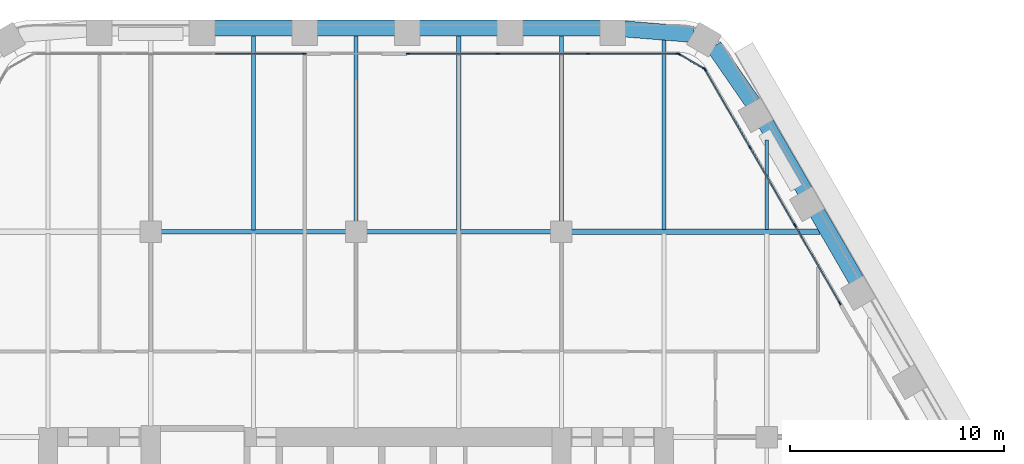
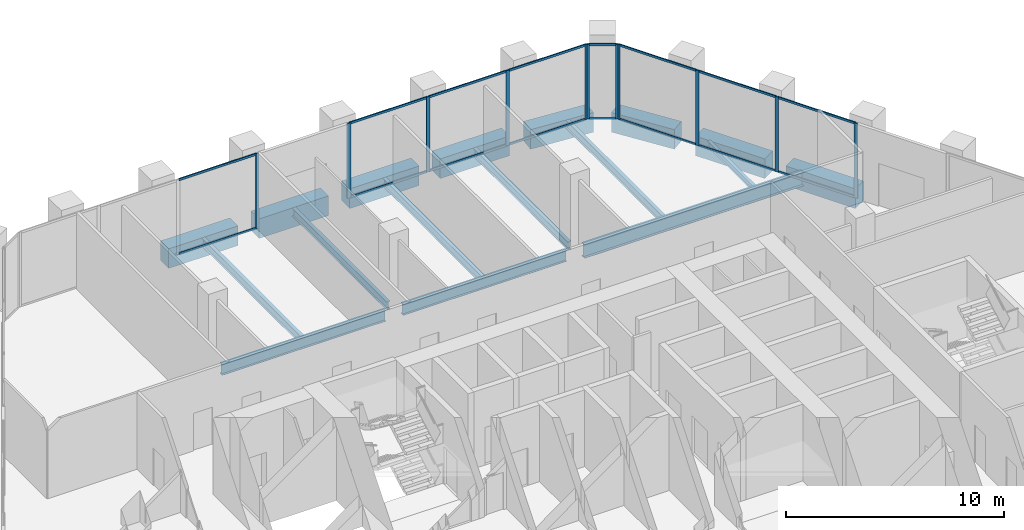
# One storey, part 10 of 26: 27 members, 17 beams, 4 elements without a shape of their own.
"""IFC4 building model written with IfcOpenShell, lengths in metres."""

from ifc_helpers import new_model, si_unit, direction, frame, origin, origin_2d, place, context, subcontext, project, spatial, rectangle, i_section, extrude, material, material_profile, profile_set, type_object, element, aggregate, save


model = new_model("IFC4")

# Units and contexts
model_context = context("Model", 3, precision=1e-05, world=origin(), true_north=direction((0.0, 1.0)))
body_context = subcontext(model_context, "Body", "Model", "MODEL_VIEW")
ifc_project = project(units=[si_unit("LENGTHUNIT", "METRE"), si_unit("AREAUNIT", "SQUARE_METRE"), si_unit("VOLUMEUNIT", "CUBIC_METRE"), si_unit("PLANEANGLEUNIT", "RADIAN"), si_unit("MASSUNIT", "GRAM", prefix="KILO")], contexts=[model_context])

# Site, building, storey
site_placement = place(None, origin())
site = spatial("IfcSite", under=ifc_project, at=site_placement, CompositionType="ELEMENT")
building_placement = place(site_placement, origin())
building = spatial("IfcBuilding", under=site, at=building_placement, Name="Kolab Exchange Tower", CompositionType="ELEMENT")
storey_placement = place(building_placement, frame((0.0, 0.0, 104.89990234375)))
storey = spatial("IfcBuildingStorey", under=building, at=storey_placement, Name="L20", CompositionType="ELEMENT", Elevation=104.89990234375)

# Beams
ifc_material_1 = material(Name="Steel S355", Category="steel")
ifc_material_profile_1 = material_profile(ifc_material_1, i_section(OverallWidth=0.1650390625, OverallDepth=0.31005859375, WebThickness=0.005859375, FlangeThickness=0.009765625, at=origin_2d()), Name="W310X39")
ifc_profile_set_1 = profile_set([ifc_material_profile_1], Name="Steel S355")
beam_type_1 = type_object("IfcBeamType", Name="FLOOR BEAM W310X39", PredefinedType="BEAM", material=ifc_profile_set_1)
beam_1_placement = place(storey_placement, frame((19.199951171875, 19.29345703125, -0.35498046875), z_axis=(0.0, 1.0, 0.0), x_axis=(-1.0, 0.0, 0.0)))
element("IfcBeam", 1, at=beam_1_placement, inside=storey, type_object=beam_type_1, Name="beam/L20/fr/045", PredefinedType="BEAM", context=body_context, shape_type="SweptSolid", body=[
    extrude(i_section(OverallWidth=0.1650390625, OverallDepth=0.31005859375, WebThickness=0.005859375, FlangeThickness=0.009765625, at=origin_2d()), origin(), (0.0, 0.0, 1.0), 4.18798828125),
])
ifc_material_profile_2 = material_profile(ifc_material_1, i_section(OverallWidth=0.18994140625, OverallDepth=0.45703125, WebThickness=0.009033203125, FlangeThickness=0.014404296875, at=origin_2d()), Name="W460X74")
ifc_profile_set_2 = profile_set([ifc_material_profile_2], Name="Steel S355")
beam_type_2 = type_object("IfcBeamType", Name="FLOOR BEAM W460X74", PredefinedType="BEAM", material=ifc_profile_set_2)
beam_2_placement = place(storey_placement, frame((-4.800048828125, 19.27392578125, -0.428466796875), z_axis=(0.0, 1.0, 0.0), x_axis=(-1.0, 0.0, 0.0)))
element("IfcBeam", 2, at=beam_2_placement, inside=storey, type_object=beam_type_2, Name="beam/L20/fr/023", PredefinedType="BEAM", context=body_context, shape_type="SweptSolid", body=[
    extrude(i_section(OverallWidth=0.18994140625, OverallDepth=0.45703125, WebThickness=0.009033203125, FlangeThickness=0.014404296875, at=origin_2d()), origin(), (0.0, 0.0, 1.0), 9.114501953125),
])
beam_3_placement = place(storey_placement, frame((0.0, 19.659912109375, -0.428466796875), z_axis=(0.0, 1.0, 0.0), x_axis=(-1.0, 0.0, 0.0)))
element("IfcBeam", 3, at=beam_3_placement, inside=storey, type_object=beam_type_2, Name="beam/L20/fr/027", PredefinedType="BEAM", context=body_context, shape_type="SweptSolid", body=[
    extrude(i_section(OverallWidth=0.18994140625, OverallDepth=0.45703125, WebThickness=0.009033203125, FlangeThickness=0.014404296875, at=origin_2d()), origin(), (0.0, 0.0, 1.0), 8.728515625),
])
beam_4_placement = place(storey_placement, frame((4.800048828125, 19.27392578125, -0.428466796875), z_axis=(0.0, 1.0, 0.0), x_axis=(-1.0, 0.0, 0.0)))
element("IfcBeam", 4, at=beam_4_placement, inside=storey, type_object=beam_type_2, Name="beam/L20/fr/031", PredefinedType="BEAM", context=body_context, shape_type="SweptSolid", body=[
    extrude(i_section(OverallWidth=0.18994140625, OverallDepth=0.45703125, WebThickness=0.009033203125, FlangeThickness=0.014404296875, at=origin_2d()), origin(), (0.0, 0.0, 1.0), 9.114501953125),
])
beam_5_placement = place(storey_placement, frame((9.60009765625, 19.659912109375, -0.428466796875), z_axis=(0.0, 1.0, 0.0), x_axis=(-1.0, 0.0, 0.0)))
element("IfcBeam", 5, at=beam_5_placement, inside=storey, type_object=beam_type_2, Name="beam/L20/fr/035", PredefinedType="BEAM", context=body_context, shape_type="SweptSolid", body=[
    extrude(i_section(OverallWidth=0.18994140625, OverallDepth=0.45703125, WebThickness=0.009033203125, FlangeThickness=0.014404296875, at=origin_2d()), origin(), (0.0, 0.0, 1.0), 8.728515625),
])
beam_6_placement = place(storey_placement, frame((14.39990234375, 19.29345703125, -0.428466796875), z_axis=(0.0, 1.0, 0.0), x_axis=(-1.0, 0.0, 0.0)))
element("IfcBeam", 6, at=beam_6_placement, inside=storey, type_object=beam_type_2, Name="beam/L20/fr/039", PredefinedType="BEAM", context=body_context, shape_type="SweptSolid", body=[
    extrude(i_section(OverallWidth=0.18994140625, OverallDepth=0.45703125, WebThickness=0.009033203125, FlangeThickness=0.014404296875, at=origin_2d()), origin(), (0.0, 0.0, 1.0), 8.901123046875),
])
ifc_material_profile_3 = material_profile(ifc_material_1, i_section(OverallWidth=0.22802734375, OverallDepth=0.60791015625, WebThickness=0.01123046875, FlangeThickness=0.017333984375, at=origin_2d()), Name="W610X113")
ifc_profile_set_3 = profile_set([ifc_material_profile_3], Name="Steel S355")
beam_type_3 = type_object("IfcBeamType", Name="FLOOR GIRDER W610X113", PredefinedType="BEAM", material=ifc_profile_set_3)
for number, where, z_axis, x_axis, name in (
    (7, (-9.139892578125, 19.199951171875, -0.50390625), (1.0, 0.0, 0.0), (0.0, 1.0, 0.0), "beam/L20/gd/009"),
    (8, (0.4599609375, 19.199951171875, -0.50390625), (1.0, 0.0, 0.0), (0.0, 1.0, 0.0), "beam/L20/gd/011"),
):
    element("IfcBeam", number, at=place(storey_placement, frame(where, z_axis=z_axis, x_axis=x_axis)), inside=storey, type_object=beam_type_3, Name=name, PredefinedType="BEAM", context=body_context, shape_type="SweptSolid", body=[
        extrude(i_section(OverallWidth=0.22802734375, OverallDepth=0.60791015625, WebThickness=0.01123046875, FlangeThickness=0.017333984375, at=origin_2d()), origin(), (0.0, 0.0, 1.0), 8.679931640625),
    ])
ifc_material_profile_4 = material_profile(ifc_material_1, i_section(OverallWidth=0.26708984375, OverallDepth=0.761962890625, WebThickness=0.014404296875, FlangeThickness=0.021484375, at=origin_2d()), Name="W760X173")
ifc_profile_set_4 = profile_set([ifc_material_profile_4], Name="Steel S355")
beam_type_4 = type_object("IfcBeamType", Name="FLOOR GIRDER W760X173", PredefinedType="BEAM", material=ifc_profile_set_4)
beam_7_placement = place(storey_placement, frame((10.06005859375, 19.199951171875, -0.580810546875), z_axis=(1.0, 0.0, 0.0), x_axis=(0.0, 1.0, 0.0)))
element("IfcBeam", 9, at=beam_7_placement, inside=storey, type_object=beam_type_4, Name="beam/L20/gd/013", PredefinedType="BEAM", context=body_context, shape_type="SweptSolid", body=[
    extrude(i_section(OverallWidth=0.26708984375, OverallDepth=0.761962890625, WebThickness=0.014404296875, FlangeThickness=0.021484375, at=origin_2d()), origin(), (0.0, 0.0, 1.0), 11.628662109375),
])
ifc_material_2 = material(Name="Concrete C70/85", Category="concrete")
ifc_material_profile_5 = material_profile(ifc_material_2, rectangle(XDim=0.75, YDim=1.10009765625, at=origin_2d()), Name="RC750X1100")
ifc_profile_set_5 = profile_set([ifc_material_profile_5], Name="Concrete C70/85")
beam_type_5 = type_object("IfcBeamType", Name="SPANDREL BEAM 750X1100 C70/85", PredefinedType="BEAM", material=ifc_profile_set_5)
beam_8_placement = place(storey_placement, frame((-6.639892578125, 28.723388671875, -0.75), z_axis=(1.0, 0.0, 0.0), x_axis=(0.0, 1.0, 0.0)))
element("IfcBeam", 10, at=beam_8_placement, inside=storey, type_object=beam_type_5, Name="beam/L20/sp/F1-03", PredefinedType="BEAM", context=body_context, shape_type="SweptSolid", body=[
    extrude(rectangle(XDim=0.75, YDim=1.10009765625, at=origin_2d()), origin(), (0.0, 0.0, 1.0), 3.679931640625),
])
beam_9_placement = place(storey_placement, frame((-1.840087890625, 28.723388671875, -0.75), z_axis=(1.0, 0.0, 0.0), x_axis=(0.0, 1.0, 0.0)))
element("IfcBeam", 11, at=beam_9_placement, inside=storey, type_object=beam_type_5, Name="beam/L20/sp/F1-04", PredefinedType="BEAM", context=body_context, shape_type="SweptSolid", body=[
    extrude(rectangle(XDim=0.75, YDim=1.10009765625, at=origin_2d()), origin(), (0.0, 0.0, 1.0), 3.68017578125),
])
for number, where, z_axis, x_axis, name in (
    (12, (2.9599609375, 28.723388671875, -0.75), (1.0, 0.0, 0.0), (0.0, 1.0, 0.0), "beam/L20/sp/F1-05"),
    (13, (7.760009765625, 28.723388671875, -0.75), (1.0, 0.0, 0.0), (0.0, 1.0, 0.0), "beam/L20/sp/F1-06"),
):
    element("IfcBeam", number, at=place(storey_placement, frame(where, z_axis=z_axis, x_axis=x_axis)), inside=storey, type_object=beam_type_5, Name=name, PredefinedType="BEAM", context=body_context, shape_type="SweptSolid", body=[
        extrude(rectangle(XDim=0.75, YDim=1.10009765625, at=origin_2d()), origin(), (0.0, 0.0, 1.0), 3.679931640625),
    ])
for number, where, z_axis, x_axis, name in (
    (14, (12.56005859375, 28.678466796875, -0.75), (0.996791038408, -0.080047646748, 0.0), (0.080047646748, 0.996791038408, 0.0), "beam/L20/sp/F1-07"),
    (15, (16.73486328125, 27.85791015625, -0.75), (0.567661826262, -0.823261836237, 0.0), (0.823261836237, 0.567661826262, 0.0), "beam/L20/sp/F2-01"),
):
    element("IfcBeam", number, at=place(storey_placement, frame(where, z_axis=z_axis, x_axis=x_axis)), inside=storey, type_object=beam_type_5, Name=name, PredefinedType="BEAM", context=body_context, shape_type="SweptSolid", body=[
        extrude(rectangle(XDim=0.75, YDim=1.10009765625, at=origin_2d()), origin(), (0.0, 0.0, 1.0), 3.20849609375),
    ])
for number, where, z_axis, x_axis, name in (
    (16, (19.1552734375, 24.26904296875, -0.75), (0.500013413428, -0.866017659399, 0.0), (0.866017659399, 0.500013413428, 0.0), "beam/L20/sp/F2-02"),
    (17, (21.55517578125, 20.112060546875, -0.75), (0.500013413428, -0.866017659399, 0.0), (0.866017659399, 0.500013413428, 0.0), "beam/L20/sp/F2-03"),
):
    element("IfcBeam", number, at=place(storey_placement, frame(where, z_axis=z_axis, x_axis=x_axis)), inside=storey, type_object=beam_type_5, Name=name, PredefinedType="BEAM", context=body_context, shape_type="SweptSolid", body=[
        extrude(rectangle(XDim=0.75, YDim=1.10009765625, at=origin_2d()), origin(), (0.0, 0.0, 1.0), 3.68017578125),
    ])

# Curtain wall, member
ifc_material_3 = material(Name="Aluminium EN AW-6063 T6", Category="aluminium")
curtain_wall_type = type_object("IfcCurtainWallType", Name="UNITISED LOWER MID ZONE CURTAIN WALL", PredefinedType="NOTDEFINED", material=ifc_material_3)
curtain_wall_1_placement = place(storey_placement, origin())
curtain_wall_1 = element("IfcCurtainWall", 18, at=curtain_wall_1_placement, inside=storey, type_object=curtain_wall_type, Name="cw/L20/F1-1", PredefinedType="NOTDEFINED")
ifc_material_profile_6 = material_profile(ifc_material_3, rectangle(XDim=0.06005859375, YDim=0.179931640625, at=origin_2d()), Name="RECT 60X180")
ifc_profile_set_6 = profile_set([ifc_material_profile_6], Name="Aluminium EN AW-6063 T6")
member_type_1 = type_object("IfcMemberType", Name="UNITISED LOWER MID ZONE MULLION 60 X 180", PredefinedType="MULLION", material=ifc_profile_set_6)
member_1_placement = place(storey_placement, frame((-2.429931640625, 27.5185546875, 0.0), z_axis=(0.0, 0.0, 1.0), x_axis=(0.0, 1.0, 0.0)))
member_1 = element("IfcMember", 19, at=member_1_placement, type_object=member_type_1, Name="CW2 mullion 4", PredefinedType="MULLION", context=body_context, shape_type="SweptSolid", body=[
    extrude(rectangle(XDim=0.06005859375, YDim=0.179931640625, at=origin_2d()), origin(), (0.0, 0.0, 1.0), 4.2001953125),
])

# Curtain wall, members
curtain_wall_2_placement = place(storey_placement, origin())
curtain_wall_2 = element("IfcCurtainWall", 20, at=curtain_wall_2_placement, inside=storey, type_object=curtain_wall_type, Name="cw/L20/F1-2", PredefinedType="NOTDEFINED")
member_2_placement = place(storey_placement, frame((2.429931640625, 27.5185546875, 0.0), z_axis=(0.0, 0.0, 1.0), x_axis=(0.0, 1.0, 0.0)))
member_2 = element("IfcMember", 21, at=member_2_placement, type_object=member_type_1, Name="CW2 mullion 1", PredefinedType="MULLION", context=body_context, shape_type="SweptSolid", body=[
    extrude(rectangle(XDim=0.06005859375, YDim=0.179931640625, at=origin_2d()), origin(), (0.0, 0.0, 1.0), 4.2001953125),
])
member_3_placement = place(storey_placement, frame((6.62255859375, 27.5185546875, 0.0), z_axis=(0.0, 0.0, 1.0), x_axis=(0.0, 1.0, 0.0)))
member_3 = element("IfcMember", 22, at=member_3_placement, type_object=member_type_1, Name="CW2 mullion 2", PredefinedType="MULLION", context=body_context, shape_type="SweptSolid", body=[
    extrude(rectangle(XDim=0.06005859375, YDim=0.179931640625, at=origin_2d()), origin(), (0.0, 0.0, 1.0), 4.2001953125),
])
member_4_placement = place(storey_placement, frame((10.84521484375, 27.5185546875, 0.0), z_axis=(0.0, 0.0, 1.0), x_axis=(0.0, 1.0, 0.0)))
member_4 = element("IfcMember", 23, at=member_4_placement, type_object=member_type_1, Name="CW2 mullion 3", PredefinedType="MULLION", context=body_context, shape_type="SweptSolid", body=[
    extrude(rectangle(XDim=0.06005859375, YDim=0.179931640625, at=origin_2d()), origin(), (0.0, 0.0, 1.0), 4.2001953125),
])
member_5_placement = place(storey_placement, frame((15.037841796875, 27.5185546875, 0.0), z_axis=(0.0, 0.0, 1.0), x_axis=(0.0, 1.0, 0.0)))
member_5 = element("IfcMember", 24, at=member_5_placement, type_object=member_type_1, Name="CW2 mullion 4", PredefinedType="MULLION", context=body_context, shape_type="SweptSolid", body=[
    extrude(rectangle(XDim=0.06005859375, YDim=0.179931640625, at=origin_2d()), origin(), (0.0, 0.0, 1.0), 4.2001953125),
])

curtain_wall_3_placement = place(storey_placement, origin())
curtain_wall_3 = element("IfcCurtainWall", 25, at=curtain_wall_3_placement, inside=storey, type_object=curtain_wall_type, Name="cw/L20/F2-1", PredefinedType="NOTDEFINED")
member_6_placement = place(storey_placement, frame((16.312744140625, 26.782470703125, 0.0), z_axis=(0.0, 0.0, 1.0), x_axis=(0.866025393644, 0.500000017564, 0.0)))
member_6 = element("IfcMember", 26, at=member_6_placement, type_object=member_type_1, Name="CW2 mullion 1", PredefinedType="MULLION", context=body_context, shape_type="SweptSolid", body=[
    extrude(rectangle(XDim=0.06005859375, YDim=0.179931640625, at=origin_2d()), origin(), (0.0, 0.0, 1.0), 4.2001953125),
])
member_7_placement = place(storey_placement, frame((18.408935546875, 23.151611328125, 0.0), z_axis=(0.0, 0.0, 1.0), x_axis=(0.866025393644, 0.500000017564, 0.0)))
member_7 = element("IfcMember", 27, at=member_7_placement, type_object=member_type_1, Name="CW2 mullion 2", PredefinedType="MULLION", context=body_context, shape_type="SweptSolid", body=[
    extrude(rectangle(XDim=0.06005859375, YDim=0.179931640625, at=origin_2d()), origin(), (0.0, 0.0, 1.0), 4.2001953125),
])
member_8_placement = place(storey_placement, frame((20.520263671875, 19.49462890625, 0.0), z_axis=(0.0, 0.0, 1.0), x_axis=(0.866025393644, 0.500000017564, 0.0)))
member_8 = element("IfcMember", 28, at=member_8_placement, type_object=member_type_1, Name="CW2 mullion 3", PredefinedType="MULLION", context=body_context, shape_type="SweptSolid", body=[
    extrude(rectangle(XDim=0.06005859375, YDim=0.179931640625, at=origin_2d()), origin(), (0.0, 0.0, 1.0), 4.2001953125),
])
member_9_placement = place(storey_placement, frame((22.61669921875, 15.86376953125, 0.0), z_axis=(0.0, 0.0, 1.0), x_axis=(0.866025393644, 0.500000017564, 0.0)))
member_9 = element("IfcMember", 29, at=member_9_placement, type_object=member_type_1, Name="CW2 mullion 4", PredefinedType="MULLION", context=body_context, shape_type="SweptSolid", body=[
    extrude(rectangle(XDim=0.06005859375, YDim=0.179931640625, at=origin_2d()), origin(), (0.0, 0.0, 1.0), 4.2001953125),
])

curtain_wall_4_placement = place(storey_placement, origin())
curtain_wall_4 = element("IfcCurtainWall", 30, at=curtain_wall_4_placement, inside=storey, type_object=curtain_wall_type, Name="cw/L20/F1F2-corner", PredefinedType="NOTDEFINED")
member_10_placement = place(storey_placement, frame((15.093994140625, 27.50341796875, 0.0), z_axis=(0.0, 0.0, 1.0), x_axis=(0.50000002237, 0.866025390869, 0.0)))
member_10 = element("IfcMember", 31, at=member_10_placement, type_object=member_type_1, Name="CW2 mullion 1", PredefinedType="MULLION", context=body_context, shape_type="SweptSolid", body=[
    extrude(rectangle(XDim=0.06005859375, YDim=0.179931640625, at=origin_2d()), origin(), (0.0, 0.0, 1.0), 4.2001953125),
])
member_11_placement = place(storey_placement, frame((16.271728515625, 26.823486328125, 0.0), z_axis=(0.0, 0.0, 1.0), x_axis=(0.50000002237, 0.866025390869, 0.0)))
member_11 = element("IfcMember", 32, at=member_11_placement, type_object=member_type_1, Name="CW2 mullion 2", PredefinedType="MULLION", context=body_context, shape_type="SweptSolid", body=[
    extrude(rectangle(XDim=0.06005859375, YDim=0.179931640625, at=origin_2d()), origin(), (0.0, 0.0, 1.0), 4.2001953125),
])

# Member
ifc_material_profile_7 = material_profile(ifc_material_3, rectangle(XDim=0.06005859375, YDim=0.1201171875, at=origin_2d()), Name="RECT 60X120")
ifc_profile_set_7 = profile_set([ifc_material_profile_7], Name="Aluminium EN AW-6063 T6")
member_type_2 = type_object("IfcMemberType", Name="UNITISED LOWER MID ZONE TRANSOM 60 X 120", PredefinedType="USERDEFINED", material=ifc_profile_set_7)
member_12_placement = place(storey_placement, frame((-6.592529296875, 27.5185546875, 0.030029296875), z_axis=(1.0, 0.0, 0.0), x_axis=(0.0, 1.0, 0.0)))
member_12 = element("IfcMember", 33, at=member_12_placement, type_object=member_type_2, Name="CW2 transom 3.1", ObjectType="TRANSOM", PredefinedType="USERDEFINED", context=body_context, shape_type="SweptSolid", body=[
    extrude(rectangle(XDim=0.06005859375, YDim=0.1201171875, at=origin_2d()), origin(), (0.0, 0.0, 1.0), 4.132568359375),
])

member_13_placement = place(storey_placement, frame((-6.592529296875, 27.5185546875, 4.170166015625), z_axis=(1.0, 0.0, 0.0), x_axis=(0.0, 1.0, 0.0)))
member_13 = element("IfcMember", 34, at=member_13_placement, type_object=member_type_2, Name="CW2 transom 3.2", ObjectType="TRANSOM", PredefinedType="USERDEFINED", context=body_context, shape_type="SweptSolid", body=[
    extrude(rectangle(XDim=0.06005859375, YDim=0.1201171875, at=origin_2d()), origin(), (0.0, 0.0, 1.0), 4.132568359375),
])

aggregate(curtain_wall_1, [member_1, member_12, member_13])

member_14_placement = place(storey_placement, frame((2.4599609375, 27.5185546875, 0.030029296875), z_axis=(1.0, 0.0, 0.0), x_axis=(0.0, 1.0, 0.0)))
member_14 = element("IfcMember", 35, at=member_14_placement, type_object=member_type_2, Name="CW2 transom 1.1", ObjectType="TRANSOM", PredefinedType="USERDEFINED", context=body_context, shape_type="SweptSolid", body=[
    extrude(rectangle(XDim=0.06005859375, YDim=0.1201171875, at=origin_2d()), origin(), (0.0, 0.0, 1.0), 4.132568359375),
])

member_15_placement = place(storey_placement, frame((2.4599609375, 27.5185546875, 4.170166015625), z_axis=(1.0, 0.0, 0.0), x_axis=(0.0, 1.0, 0.0)))
member_15 = element("IfcMember", 36, at=member_15_placement, type_object=member_type_2, Name="CW2 transom 1.2", ObjectType="TRANSOM", PredefinedType="USERDEFINED", context=body_context, shape_type="SweptSolid", body=[
    extrude(rectangle(XDim=0.06005859375, YDim=0.1201171875, at=origin_2d()), origin(), (0.0, 0.0, 1.0), 4.132568359375),
])

member_16_placement = place(storey_placement, frame((6.652587890625, 27.5185546875, 0.030029296875), z_axis=(1.0, 0.0, 0.0), x_axis=(0.0, 1.0, 0.0)))
member_16 = element("IfcMember", 37, at=member_16_placement, type_object=member_type_2, Name="CW2 transom 2.1", ObjectType="TRANSOM", PredefinedType="USERDEFINED", context=body_context, shape_type="SweptSolid", body=[
    extrude(rectangle(XDim=0.06005859375, YDim=0.1201171875, at=origin_2d()), origin(), (0.0, 0.0, 1.0), 4.16259765625),
])

member_17_placement = place(storey_placement, frame((6.652587890625, 27.5185546875, 4.170166015625), z_axis=(1.0, 0.0, 0.0), x_axis=(0.0, 1.0, 0.0)))
member_17 = element("IfcMember", 38, at=member_17_placement, type_object=member_type_2, Name="CW2 transom 2.2", ObjectType="TRANSOM", PredefinedType="USERDEFINED", context=body_context, shape_type="SweptSolid", body=[
    extrude(rectangle(XDim=0.06005859375, YDim=0.1201171875, at=origin_2d()), origin(), (0.0, 0.0, 1.0), 4.16259765625),
])

member_18_placement = place(storey_placement, frame((10.875244140625, 27.5185546875, 0.030029296875), z_axis=(1.0, 0.0, 0.0), x_axis=(0.0, 1.0, 0.0)))
member_18 = element("IfcMember", 39, at=member_18_placement, type_object=member_type_2, Name="CW2 transom 3.1", ObjectType="TRANSOM", PredefinedType="USERDEFINED", context=body_context, shape_type="SweptSolid", body=[
    extrude(rectangle(XDim=0.06005859375, YDim=0.1201171875, at=origin_2d()), origin(), (0.0, 0.0, 1.0), 4.1328125),
])

member_19_placement = place(storey_placement, frame((10.875244140625, 27.5185546875, 4.170166015625), z_axis=(1.0, 0.0, 0.0), x_axis=(0.0, 1.0, 0.0)))
member_19 = element("IfcMember", 40, at=member_19_placement, type_object=member_type_2, Name="CW2 transom 3.2", ObjectType="TRANSOM", PredefinedType="USERDEFINED", context=body_context, shape_type="SweptSolid", body=[
    extrude(rectangle(XDim=0.06005859375, YDim=0.1201171875, at=origin_2d()), origin(), (0.0, 0.0, 1.0), 4.1328125),
])

aggregate(curtain_wall_2, [member_2, member_3, member_4, member_5, member_14, member_15, member_16, member_17, member_18, member_19])

member_20_placement = place(storey_placement, frame((16.32763671875, 26.756591796875, 0.030029296875), z_axis=(0.500001996123, -0.866024251319, 0.0), x_axis=(0.866024251319, 0.500001996123, 0.0)))
member_20 = element("IfcMember", 41, at=member_20_placement, type_object=member_type_2, Name="CW2 transom 1.1", ObjectType="TRANSOM", PredefinedType="USERDEFINED", context=body_context, shape_type="SweptSolid", body=[
    extrude(rectangle(XDim=0.06005859375, YDim=0.1201171875, at=origin_2d()), origin(), (0.0, 0.0, 1.0), 4.1328125),
])

member_21_placement = place(storey_placement, frame((16.32763671875, 26.756591796875, 4.170166015625), z_axis=(0.500001996123, -0.866024251319, 0.0), x_axis=(0.866024251319, 0.500001996123, 0.0)))
member_21 = element("IfcMember", 42, at=member_21_placement, type_object=member_type_2, Name="CW2 transom 1.2", ObjectType="TRANSOM", PredefinedType="USERDEFINED", context=body_context, shape_type="SweptSolid", body=[
    extrude(rectangle(XDim=0.06005859375, YDim=0.1201171875, at=origin_2d()), origin(), (0.0, 0.0, 1.0), 4.1328125),
])

member_22_placement = place(storey_placement, frame((18.424072265625, 23.12548828125, 0.030029296875), z_axis=(0.49999322259, -0.866029316688, 0.0), x_axis=(0.866029316688, 0.49999322259, 0.0)))
member_22 = element("IfcMember", 43, at=member_22_placement, type_object=member_type_2, Name="CW2 transom 2.1", ObjectType="TRANSOM", PredefinedType="USERDEFINED", context=body_context, shape_type="SweptSolid", body=[
    extrude(rectangle(XDim=0.06005859375, YDim=0.1201171875, at=origin_2d()), origin(), (0.0, 0.0, 1.0), 4.16259765625),
])

member_23_placement = place(storey_placement, frame((18.424072265625, 23.12548828125, 4.170166015625), z_axis=(0.49999322259, -0.866029316688, 0.0), x_axis=(0.866029316688, 0.49999322259, 0.0)))
member_23 = element("IfcMember", 44, at=member_23_placement, type_object=member_type_2, Name="CW2 transom 2.2", ObjectType="TRANSOM", PredefinedType="USERDEFINED", context=body_context, shape_type="SweptSolid", body=[
    extrude(rectangle(XDim=0.06005859375, YDim=0.1201171875, at=origin_2d()), origin(), (0.0, 0.0, 1.0), 4.16259765625),
])

member_24_placement = place(storey_placement, frame((20.535400390625, 19.46875, 0.030029296875), z_axis=(0.499957688808, -0.866049830784, 0.0), x_axis=(0.866049830784, 0.499957688808, 0.0)))
member_24 = element("IfcMember", 45, at=member_24_placement, type_object=member_type_2, Name="CW2 transom 3.1", ObjectType="TRANSOM", PredefinedType="USERDEFINED", context=body_context, shape_type="SweptSolid", body=[
    extrude(rectangle(XDim=0.06005859375, YDim=0.1201171875, at=origin_2d()), origin(), (0.0, 0.0, 1.0), 4.132568359375),
])

member_25_placement = place(storey_placement, frame((20.535400390625, 19.46875, 4.170166015625), z_axis=(0.499957688808, -0.866049830784, 0.0), x_axis=(0.866049830784, 0.499957688808, 0.0)))
member_25 = element("IfcMember", 46, at=member_25_placement, type_object=member_type_2, Name="CW2 transom 3.2", ObjectType="TRANSOM", PredefinedType="USERDEFINED", context=body_context, shape_type="SweptSolid", body=[
    extrude(rectangle(XDim=0.06005859375, YDim=0.1201171875, at=origin_2d()), origin(), (0.0, 0.0, 1.0), 4.132568359375),
])

aggregate(curtain_wall_3, [member_6, member_7, member_8, member_9, member_20, member_21, member_22, member_23, member_24, member_25])

member_26_placement = place(storey_placement, frame((15.119873046875, 27.488525390625, 0.030029296875), z_axis=(0.866004217611, -0.500036693733, 0.0), x_axis=(0.500036693733, 0.866004217611, 0.0)))
member_26 = element("IfcMember", 47, at=member_26_placement, type_object=member_type_2, Name="CW2 transom 1.1", ObjectType="TRANSOM", PredefinedType="USERDEFINED", context=body_context, shape_type="SweptSolid", body=[
    extrude(rectangle(XDim=0.06005859375, YDim=0.1201171875, at=origin_2d()), origin(), (0.0, 0.0, 1.0), 1.30029296875),
])

member_27_placement = place(storey_placement, frame((15.119873046875, 27.488525390625, 4.170166015625), z_axis=(0.866004217611, -0.500036693733, 0.0), x_axis=(0.500036693733, 0.866004217611, 0.0)))
member_27 = element("IfcMember", 48, at=member_27_placement, type_object=member_type_2, Name="CW2 transom 1.2", ObjectType="TRANSOM", PredefinedType="USERDEFINED", context=body_context, shape_type="SweptSolid", body=[
    extrude(rectangle(XDim=0.06005859375, YDim=0.1201171875, at=origin_2d()), origin(), (0.0, 0.0, 1.0), 1.30029296875),
])

aggregate(curtain_wall_4, [member_10, member_11, member_26, member_27])

save(model, "model.ifc")
